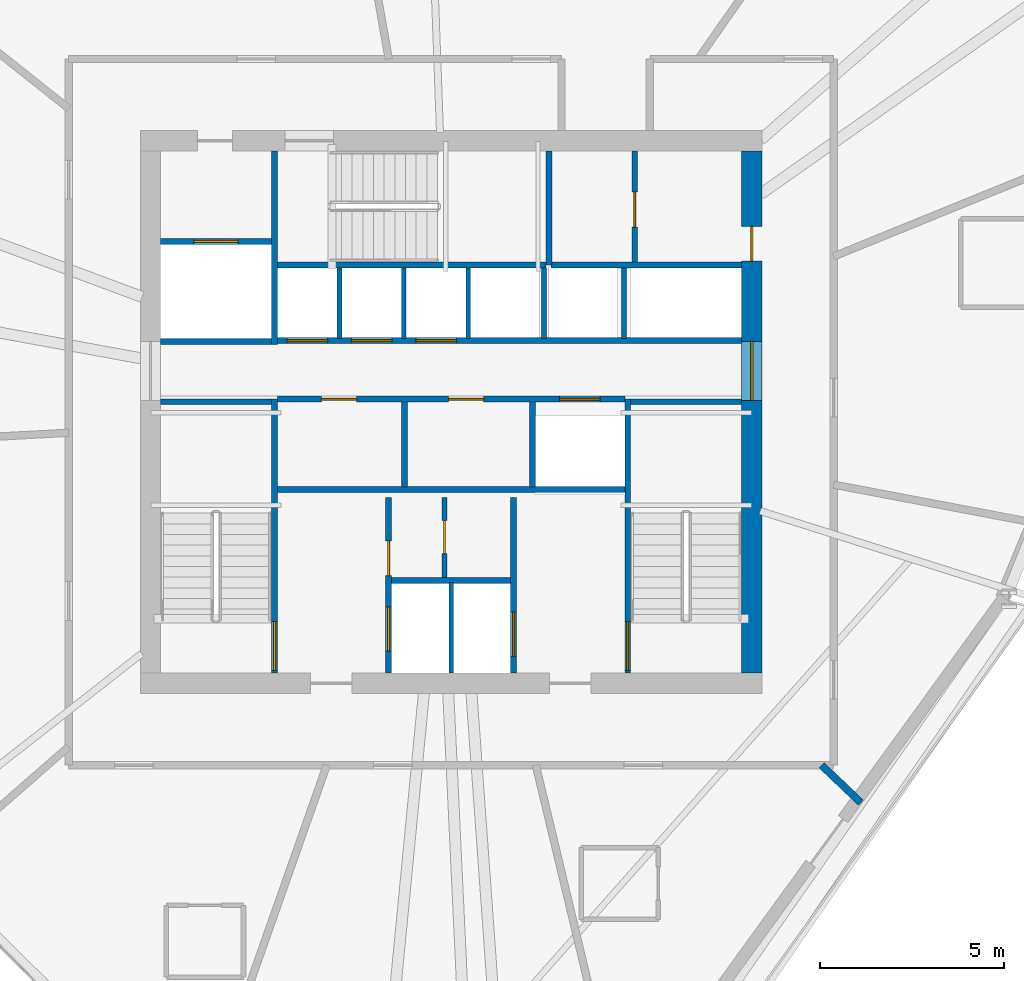
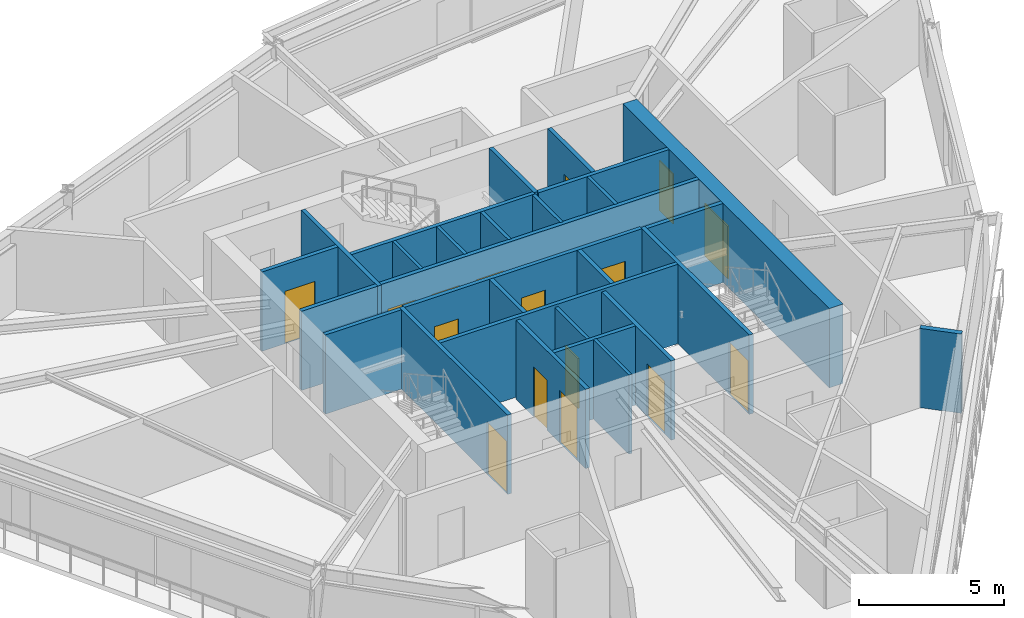
# One storey, part 9 of 14: 28 walls, 16 doors, 16 openings.
"""IFC4 building model written with IfcOpenShell, lengths in metres."""

from ifc_helpers import new_model, si_unit, direction, frame, frame_2d, origin, place, context, subcontext, project, spatial, rectangle, extrude, source, transform, mapped, material, layer, layer_set, type_object, type_shapes, element, fill, save


model = new_model("IFC4")

# Units and contexts
model_context = context("Model", 3, precision=1e-05, world=origin(), true_north=direction((0.0, 1.0)))
body_context = subcontext(model_context, "Body", "Model", "MODEL_VIEW")
ifc_project = project(units=[si_unit("LENGTHUNIT", "METRE"), si_unit("AREAUNIT", "SQUARE_METRE"), si_unit("VOLUMEUNIT", "CUBIC_METRE"), si_unit("PLANEANGLEUNIT", "RADIAN"), si_unit("MASSUNIT", "GRAM", prefix="KILO")], contexts=[model_context])

# Site, building, storey
site_placement = place(None, origin())
site = spatial("IfcSite", under=ifc_project, at=site_placement, CompositionType="ELEMENT")
building_placement = place(site_placement, origin())
building = spatial("IfcBuilding", under=site, at=building_placement, Name="Olszyna Solenne Hotel", CompositionType="ELEMENT")
storey_placement = place(building_placement, frame((0.0, 0.0, 185.64990234375)))
storey = spatial("IfcBuildingStorey", under=building, at=storey_placement, Name="L49", CompositionType="ELEMENT", Elevation=185.64990234375)

# Wall, openings, doors
ifc_material_1 = material(Name="Concrete C50/60", Category="concrete")
ifc_layer_1 = layer(ifc_material_1, 0.550048828125, Name="Concrete C50/60")
ifc_layer_set_1 = layer_set([ifc_layer_1], Name="Concrete C50/60")
wall_type_1 = type_object("IfcWallType", Name="WL-CR550", PredefinedType="SHEAR", material=ifc_layer_set_1)
wall_1_placement = place(storey_placement, frame((46.175048828125, 33.699951171875, 0.0), z_axis=(0.0, 0.0, 1.0), x_axis=(0.0, -1.0, 0.0)))
wall_1 = element("IfcWall", 1, at=wall_1_placement, inside=storey, type_object=wall_type_1, Name="Core shear wall WL-CR550 CRW-L49-E", PredefinedType="SHEAR", context=body_context, shape_type="SweptSolid", body=[
    extrude(rectangle(XDim=14.199951171875, YDim=0.550048828125, at=frame_2d((7.10009765625, 0.0))), origin(), (0.0, 0.0, 1.0), 3.330078125),
])
opening_1_placement = place(wall_1_placement, frame((5.179931640625, 0.0, 0.0)))
opening_1 = element("IfcOpeningElement", 2, at=opening_1_placement, cuts=wall_1, Name="Opening LHD-L49-E", PredefinedType="OPENING", context=body_context, shape_type="SweptSolid", body=[
    extrude(rectangle(XDim=1.60009765625, YDim=2.199951171875, at=frame_2d((0.800048828125, 1.10009765625))), frame((0.0, 0.28515625, 0.0), z_axis=(0.0, -1.0, 0.0), x_axis=(1.0, 0.0, 0.0)), (0.0, 0.0, 1.0), 0.570068359375),
])
opening_2_placement = place(wall_1_placement, frame((2.050048828125, 0.0, 0.0)))
opening_2 = element("IfcOpeningElement", 3, at=opening_2_placement, cuts=wall_1, Name="Opening SVD-L49-BE", PredefinedType="OPENING", context=body_context, shape_type="SweptSolid", body=[
    extrude(rectangle(XDim=0.949951171875, YDim=2.10009765625, at=frame_2d((0.47509765625, 1.050048828125))), frame((0.0, 0.28515625, 0.0), z_axis=(0.0, -1.0, 0.0), x_axis=(1.0, 0.0, 0.0)), (0.0, 0.0, 1.0), 0.570068359375),
])
ifc_material_2 = material(Name="Steel S355J2", Category="steel")
door_type_1 = type_object("IfcDoorType", Name="DR-SV1", OperationType="NOTDEFINED", PredefinedType="DOOR", material=ifc_material_2)
shared_shape_1 = source(origin(), body_context, "Body", "SweptSolid", [
    extrude(rectangle(XDim=0.949951171875, YDim=2.10009765625, at=frame_2d((0.47509765625, 1.050048828125))), frame((0.0, 0.02490234375, 0.0), z_axis=(0.0, -1.0, 0.0), x_axis=(1.0, 0.0, 0.0)), (0.0, 0.0, 1.0), 0.050048828125),
])
type_shapes(door_type_1, [shared_shape_1])
door_1_placement = place(opening_2_placement, origin())
door_1 = element("IfcDoor", 4, at=door_1_placement, inside=storey, type_object=door_type_1, Name="Housekeeping core fire door SVD-L49-BE", OperationType="SINGLE_SWING_RIGHT", OverallHeight=2.10009765625, OverallWidth=0.949951171875, PredefinedType="DOOR", context=body_context, shape_type="MappedRepresentation", body=[
    mapped(shared_shape_1, transform((0.0, 0.0, 0.0), x_axis=(1.0, 0.0, 0.0), y_axis=(0.0, 1.0, 0.0), z_axis=(0.0, 0.0, 1.0), scale=1.0)),
])
fill(opening_2, door_1)
ifc_material_3 = material(Name="Timber hardwood", Category="wood")
door_type_2 = type_object("IfcDoorType", Name="DR-CR1", OperationType="DOUBLE_DOOR_SINGLE_SWING", PredefinedType="DOOR", material=ifc_material_3)
shared_shape_2 = source(origin(), body_context, "Body", "SweptSolid", [
    extrude(rectangle(XDim=1.60009765625, YDim=2.199951171875, at=frame_2d((0.800048828125, 1.10009765625))), frame((0.0, 0.02490234375, 0.0), z_axis=(0.0, -1.0, 0.0), x_axis=(1.0, 0.0, 0.0)), (0.0, 0.0, 1.0), 0.050048828125),
])
type_shapes(door_type_2, [shared_shape_2])
door_2_placement = place(opening_1_placement, origin())
door_2 = element("IfcDoor", 5, at=door_2_placement, inside=storey, type_object=door_type_2, Name="Passenger lift lobby East fire door LHD-L49-E", OperationType="DOUBLE_DOOR_SINGLE_SWING", OverallHeight=2.199951171875, OverallWidth=1.60009765625, PredefinedType="DOOR", context=body_context, shape_type="MappedRepresentation", body=[
    mapped(shared_shape_2, transform((0.0, 0.0, 0.0), x_axis=(1.0, 0.0, 0.0), y_axis=(0.0, 1.0, 0.0), z_axis=(0.0, 0.0, 1.0), scale=1.0)),
])
fill(opening_1, door_2)

# Wall
ifc_material_4 = material(Name="Acoustic gypsum partition", Category="gypsum")
ifc_layer_2 = layer(ifc_material_4, 0.125, Name="Acoustic gypsum partition")
ifc_layer_set_2 = layer_set([ifc_layer_2], Name="Acoustic gypsum partition")
wall_type_2 = type_object("IfcWallType", Name="WL-PT125", PredefinedType="PARTITIONING", material=ifc_layer_set_2)
wall_2_placement = place(storey_placement, frame((38.0, 19.5, 0.0), z_axis=(0.0, 0.0, 1.0), x_axis=(0.0, 1.0, 0.0)))
element("IfcWall", 6, at=wall_2_placement, inside=storey, type_object=wall_type_2, Name="Core shaft compartment wall CW-L49-FFM", PredefinedType="PARTITIONING", context=body_context, shape_type="SweptSolid", body=[
    extrude(rectangle(XDim=2.4599609375, YDim=0.125, at=frame_2d((1.22998046875, 0.0))), origin(), (0.0, 0.0, 1.0), 3.330078125),
])

# Wall, opening, door
wall_3_placement = place(storey_placement, frame((37.820068359375, 22.10009765625, 0.0), z_axis=(0.0, 0.0, 1.0), x_axis=(0.0, 1.0, 0.0)))
wall_3 = element("IfcWall", 7, at=wall_3_placement, inside=storey, type_object=wall_type_2, Name="Core shaft compartment wall CW-L49-SC1", PredefinedType="PARTITIONING", context=body_context, shape_type="SweptSolid", body=[
    extrude(rectangle(XDim=2.179931640625, YDim=0.125, at=frame_2d((1.08984375, 0.0))), origin(), (0.0, 0.0, 1.0), 3.330078125),
])
opening_3_placement = place(wall_3_placement, frame((0.64990234375, 0.0, 0.0)))
opening_3 = element("IfcOpeningElement", 8, at=opening_3_placement, cuts=wall_3, Name="Opening SVD-L49-SC1", PredefinedType="OPENING", context=body_context, shape_type="SweptSolid", body=[
    extrude(rectangle(XDim=0.89990234375, YDim=2.10009765625, at=frame_2d((0.449951171875, 1.050048828125))), frame((0.0, 0.072509765625, 0.0), z_axis=(0.0, -1.0, 0.0), x_axis=(1.0, 0.0, 0.0)), (0.0, 0.0, 1.0), 0.14501953125),
])
door_type_3 = type_object("IfcDoorType", Name="DR-WC1", OperationType="NOTDEFINED", PredefinedType="DOOR", material=ifc_material_3)
shared_shape_3 = source(origin(), body_context, "Body", "SweptSolid", [
    extrude(rectangle(XDim=0.89990234375, YDim=2.10009765625, at=frame_2d((0.449951171875, 1.050048828125))), frame((0.0, 0.02490234375, 0.0), z_axis=(0.0, -1.0, 0.0), x_axis=(1.0, 0.0, 0.0)), (0.0, 0.0, 1.0), 0.050048828125),
])
type_shapes(door_type_3, [shared_shape_3])
door_3_placement = place(opening_3_placement, origin())
door_3 = element("IfcDoor", 9, at=door_3_placement, inside=storey, type_object=door_type_3, Name="Pantry locker door SVD-L49-SC1", OperationType="SINGLE_SWING_LEFT", OverallHeight=2.10009765625, OverallWidth=0.89990234375, PredefinedType="DOOR", context=body_context, shape_type="MappedRepresentation", body=[
    mapped(shared_shape_3, transform((0.0, 0.0, 0.0), x_axis=(1.0, 0.0, 0.0), y_axis=(0.0, 1.0, 0.0), z_axis=(0.0, 0.0, 1.0), scale=1.0)),
])
fill(opening_3, door_3)

# Walls
for number, where, z_axis, x_axis, name in (
    (10, (34.965087890625, 28.60009765625, 0.0), (0.0, 0.0, 1.0), (0.0, 1.0, 0.0), "Core shaft compartment wall CW-L49-DIVN349"),
    (11, (36.715087890625, 28.60009765625, 0.0), (0.0, 0.0, 1.0), (0.0, 1.0, 0.0), "Core shaft compartment wall CW-L49-DIVN367"),
    (12, (38.465087890625, 28.60009765625, 0.0), (0.0, 0.0, 1.0), (0.0, 1.0, 0.0), "Core shaft compartment wall CW-L49-DIVN384"),
    (13, (40.52490234375, 28.60009765625, 0.0), (0.0, 0.0, 1.0), (0.0, 1.0, 0.0), "Core shaft compartment wall CW-L49-DIVEX405"),
    (14, (42.699951171875, 28.60009765625, 0.0), (0.0, 0.0, 1.0), (0.0, 1.0, 0.0), "Core shaft compartment wall CW-L49-DIVEX427"),
):
    element("IfcWall", number, at=place(storey_placement, frame(where, z_axis=z_axis, x_axis=x_axis)), inside=storey, type_object=wall_type_2, Name=name, PredefinedType="PARTITIONING", context=body_context, shape_type="SweptSolid", body=[
        extrude(rectangle(XDim=1.919921875, YDim=0.125, at=frame_2d((0.9599609375, 0.0))), origin(), (0.0, 0.0, 1.0), 3.330078125),
    ])

# Wall, opening, door
ifc_layer_3 = layer(ifc_material_4, 0.159912109375, Name="Acoustic gypsum partition")
ifc_layer_set_3 = layer_set([ifc_layer_3], Name="Acoustic gypsum partition")
wall_type_3 = type_object("IfcWallType", Name="WL-PT160", PredefinedType="PARTITIONING", material=ifc_layer_set_3)
wall_4_placement = place(storey_placement, frame((33.199951171875, 19.5, 0.0), z_axis=(0.0, 0.0, 1.0), x_axis=(0.0, 1.0, 0.0)))
wall_4 = element("IfcWall", 15, at=wall_4_placement, inside=storey, type_object=wall_type_3, Name="Core shaft compartment wall CW-L49-ST1E", PredefinedType="PARTITIONING", context=body_context, shape_type="SweptSolid", body=[
    extrude(rectangle(XDim=7.4599609375, YDim=0.159912109375, at=frame_2d((3.72998046875, 0.0))), origin(), (0.0, 0.0, 1.0), 3.330078125),
])
opening_4_placement = place(wall_4_placement, frame((0.080078125, 0.0, 0.0)))
opening_4 = element("IfcOpeningElement", 16, at=opening_4_placement, cuts=wall_4, Name="Opening STD-L49-01", PredefinedType="OPENING", context=body_context, shape_type="SweptSolid", body=[
    extrude(rectangle(XDim=1.320068359375, YDim=2.199951171875, at=frame_2d((0.66015625, 1.10009765625))), frame((0.0, 0.08984375, 0.0), z_axis=(0.0, -1.0, 0.0), x_axis=(1.0, 0.0, 0.0)), (0.0, 0.0, 1.0), 0.179931640625),
])
door_type_4 = type_object("IfcDoorType", Name="DR-ST1", OperationType="NOTDEFINED", PredefinedType="DOOR", material=ifc_material_2)
shared_shape_4 = source(origin(), body_context, "Body", "SweptSolid", [
    extrude(rectangle(XDim=1.320068359375, YDim=2.199951171875, at=frame_2d((0.66015625, 1.10009765625))), frame((0.0, 0.02490234375, 0.0), z_axis=(0.0, -1.0, 0.0), x_axis=(1.0, 0.0, 0.0)), (0.0, 0.0, 1.0), 0.050048828125),
])
type_shapes(door_type_4, [shared_shape_4])
door_4_placement = place(opening_4_placement, origin())
door_4 = element("IfcDoor", 17, at=door_4_placement, inside=storey, type_object=door_type_4, Name="Pressurised exit stair ST1 fire door STD-L49-01", OperationType="SINGLE_SWING_LEFT", OverallHeight=2.199951171875, OverallWidth=1.320068359375, PredefinedType="DOOR", context=body_context, shape_type="MappedRepresentation", body=[
    mapped(shared_shape_4, transform((0.0, 0.0, 0.0), x_axis=(1.0, 0.0, 0.0), y_axis=(0.0, 1.0, 0.0), z_axis=(0.0, 0.0, 1.0), scale=1.0)),
])
fill(opening_4, door_4)

# Wall
wall_5_placement = place(storey_placement, frame((30.10009765625, 26.8798828125, 0.0), z_axis=(0.0, 0.0, 1.0), x_axis=(1.0, 0.0, 0.0)))
element("IfcWall", 18, at=wall_5_placement, inside=storey, type_object=wall_type_3, Name="Core shaft compartment wall CW-L49-ST1N", PredefinedType="PARTITIONING", context=body_context, shape_type="SweptSolid", body=[
    extrude(rectangle(XDim=3.02001953125, YDim=0.159912109375, at=frame_2d((1.510009765625, 0.0))), origin(), (0.0, 0.0, 1.0), 3.330078125),
])

# Wall, opening, door
wall_6_placement = place(storey_placement, frame((42.800048828125, 26.9599609375, 0.0), z_axis=(0.0, 0.0, 1.0), x_axis=(0.0, -1.0, 0.0)))
wall_6 = element("IfcWall", 19, at=wall_6_placement, inside=storey, type_object=wall_type_3, Name="Core shaft compartment wall CW-L49-ST2W", PredefinedType="PARTITIONING", context=body_context, shape_type="SweptSolid", body=[
    extrude(rectangle(XDim=7.4599609375, YDim=0.159912109375, at=frame_2d((3.72998046875, 0.0))), origin(), (0.0, 0.0, 1.0), 3.330078125),
])
opening_5_placement = place(wall_6_placement, frame((6.06005859375, 0.0, 0.0)))
opening_5 = element("IfcOpeningElement", 20, at=opening_5_placement, cuts=wall_6, Name="Opening STD-L49-02", PredefinedType="OPENING", context=body_context, shape_type="SweptSolid", body=[
    extrude(rectangle(XDim=1.320068359375, YDim=2.199951171875, at=frame_2d((0.66015625, 1.10009765625))), frame((0.0, 0.08984375, 0.0), z_axis=(0.0, -1.0, 0.0), x_axis=(1.0, 0.0, 0.0)), (0.0, 0.0, 1.0), 0.179931640625),
])
door_5_placement = place(opening_5_placement, origin())
door_5 = element("IfcDoor", 21, at=door_5_placement, inside=storey, type_object=door_type_4, Name="Pressurised exit stair ST2 fire door STD-L49-02", OperationType="SINGLE_SWING_RIGHT", OverallHeight=2.199951171875, OverallWidth=1.320068359375, PredefinedType="DOOR", context=body_context, shape_type="MappedRepresentation", body=[
    mapped(shared_shape_4, transform((0.0, 0.0, 0.0), x_axis=(1.0, 0.0, 0.0), y_axis=(0.0, 1.0, 0.0), z_axis=(0.0, 0.0, 1.0), scale=1.0)),
])
fill(opening_5, door_5)

# Walls
wall_7_placement = place(storey_placement, frame((42.8798828125, 26.8798828125, 0.0), z_axis=(0.0, 0.0, 1.0), x_axis=(1.0, 0.0, 0.0)))
element("IfcWall", 22, at=wall_7_placement, inside=storey, type_object=wall_type_3, Name="Core shaft compartment wall CW-L49-ST2N", PredefinedType="PARTITIONING", context=body_context, shape_type="SweptSolid", body=[
    extrude(rectangle(XDim=3.02001953125, YDim=0.159912109375, at=frame_2d((1.510009765625, 0.0))), origin(), (0.0, 0.0, 1.0), 3.330078125),
])
wall_8_placement = place(storey_placement, frame((33.280029296875, 30.60009765625, 0.0), z_axis=(0.0, 0.0, 1.0), x_axis=(1.0, 0.0, 0.0)))
element("IfcWall", 23, at=wall_8_placement, inside=storey, type_object=wall_type_3, Name="Core shaft compartment wall CW-L49-ST3S", PredefinedType="PARTITIONING", context=body_context, shape_type="SweptSolid", body=[
    extrude(rectangle(XDim=7.300048828125, YDim=0.159912109375, at=frame_2d((3.64990234375, 0.0))), origin(), (0.0, 0.0, 1.0), 3.330078125),
])
wall_9_placement = place(storey_placement, frame((40.659912109375, 30.60009765625, 0.0), z_axis=(0.0, 0.0, 1.0), x_axis=(0.0, 1.0, 0.0)))
element("IfcWall", 24, at=wall_9_placement, inside=storey, type_object=wall_type_3, Name="Core shaft compartment wall CW-L49-ST3E", PredefinedType="PARTITIONING", context=body_context, shape_type="SweptSolid", body=[
    extrude(rectangle(XDim=3.099853515625, YDim=0.159912109375, at=frame_2d((1.5498046875, 0.0))), origin(), (0.0, 0.0, 1.0), 3.330078125),
])

# Wall, openings, doors
wall_10_placement = place(storey_placement, frame((36.300048828125, 19.5, 0.0), z_axis=(0.0, 0.0, 1.0), x_axis=(0.0, 1.0, 0.0)))
wall_10 = element("IfcWall", 25, at=wall_10_placement, inside=storey, type_object=wall_type_3, Name="Core shaft compartment wall CW-L49-FF1W", PredefinedType="PARTITIONING", context=body_context, shape_type="SweptSolid", body=[
    extrude(rectangle(XDim=4.780029296875, YDim=0.159912109375, at=frame_2d((2.39013671875, 0.0))), origin(), (0.0, 0.0, 1.0), 3.330078125),
])
opening_6_placement = place(wall_10_placement, frame((0.60009765625, 0.0, 0.0)))
opening_6 = element("IfcOpeningElement", 26, at=opening_6_placement, cuts=wall_10, Name="Opening LD-L49-FF1", PredefinedType="OPENING", context=body_context, shape_type="SweptSolid", body=[
    extrude(rectangle(XDim=1.199951171875, YDim=2.199951171875, at=frame_2d((0.60009765625, 1.10009765625))), frame((0.0, 0.08984375, 0.0), z_axis=(0.0, -1.0, 0.0), x_axis=(1.0, 0.0, 0.0)), (0.0, 0.0, 1.0), 0.179931640625),
])
opening_7_placement = place(wall_10_placement, frame((2.64990234375, 0.0, 0.0)))
opening_7 = element("IfcOpeningElement", 27, at=opening_7_placement, cuts=wall_10, Name="Opening SVD-L49-SMK", PredefinedType="OPENING", context=body_context, shape_type="SweptSolid", body=[
    extrude(rectangle(XDim=0.949951171875, YDim=2.10009765625, at=frame_2d((0.47509765625, 1.050048828125))), frame((0.0, 0.08984375, 0.0), z_axis=(0.0, -1.0, 0.0), x_axis=(1.0, 0.0, 0.0)), (0.0, 0.0, 1.0), 0.179931640625),
])
door_6_placement = place(opening_7_placement, origin())
door_6 = element("IfcDoor", 28, at=door_6_placement, inside=storey, type_object=door_type_1, Name="Valet and core service room door SVD-L49-SMK", OperationType="SINGLE_SWING_LEFT", OverallHeight=2.10009765625, OverallWidth=0.949951171875, PredefinedType="DOOR", context=body_context, shape_type="MappedRepresentation", body=[
    mapped(shared_shape_1, transform((0.0, 0.0, 0.0), x_axis=(1.0, 0.0, 0.0), y_axis=(0.0, 1.0, 0.0), z_axis=(0.0, 0.0, 1.0), scale=1.0)),
])
fill(opening_7, door_6)
door_type_5 = type_object("IfcDoorType", Name="LD-FF1", OperationType="DOUBLE_DOOR_SLIDING", PredefinedType="DOOR", material=ifc_material_2)
shared_shape_5 = source(origin(), body_context, "Body", "SweptSolid", [
    extrude(rectangle(XDim=1.199951171875, YDim=2.199951171875, at=frame_2d((0.60009765625, 1.10009765625))), frame((0.0, 0.02490234375, 0.0), z_axis=(0.0, -1.0, 0.0), x_axis=(1.0, 0.0, 0.0)), (0.0, 0.0, 1.0), 0.050048828125),
])
type_shapes(door_type_5, [shared_shape_5])
door_7_placement = place(opening_6_placement, origin())
door_7 = element("IfcDoor", 29, at=door_7_placement, inside=storey, type_object=door_type_5, Name="Firefighters lift FF1 sliding landing door LD-L49-FF1", OperationType="DOUBLE_DOOR_SLIDING", OverallHeight=2.199951171875, OverallWidth=1.199951171875, PredefinedType="DOOR", context=body_context, shape_type="MappedRepresentation", body=[
    mapped(shared_shape_5, transform((0.0, 0.0, 0.0), x_axis=(1.0, 0.0, 0.0), y_axis=(0.0, 1.0, 0.0), z_axis=(0.0, 0.0, 1.0), scale=1.0)),
])
fill(opening_6, door_7)

# Wall, opening, door
wall_11_placement = place(storey_placement, frame((39.699951171875, 24.280029296875, 0.0), z_axis=(0.0, 0.0, 1.0), x_axis=(0.0, -1.0, 0.0)))
wall_11 = element("IfcWall", 30, at=wall_11_placement, inside=storey, type_object=wall_type_3, Name="Core shaft compartment wall CW-L49-FF2E", PredefinedType="PARTITIONING", context=body_context, shape_type="SweptSolid", body=[
    extrude(rectangle(XDim=4.780029296875, YDim=0.159912109375, at=frame_2d((2.39013671875, 0.0))), origin(), (0.0, 0.0, 1.0), 3.330078125),
])
opening_8_placement = place(wall_11_placement, frame((3.1201171875, 0.0, 0.0)))
opening_8 = element("IfcOpeningElement", 31, at=opening_8_placement, cuts=wall_11, Name="Opening LD-L49-FF2", PredefinedType="OPENING", context=body_context, shape_type="SweptSolid", body=[
    extrude(rectangle(XDim=1.199951171875, YDim=2.199951171875, at=frame_2d((0.60009765625, 1.10009765625))), frame((0.0, 0.08984375, 0.0), z_axis=(0.0, -1.0, 0.0), x_axis=(1.0, 0.0, 0.0)), (0.0, 0.0, 1.0), 0.179931640625),
])
door_8_placement = place(opening_8_placement, origin())
door_8 = element("IfcDoor", 32, at=door_8_placement, inside=storey, type_object=door_type_5, Name="Firefighters lift FF2 sliding landing door LD-L49-FF2", OperationType="DOUBLE_DOOR_SLIDING", OverallHeight=2.199951171875, OverallWidth=1.199951171875, PredefinedType="DOOR", context=body_context, shape_type="MappedRepresentation", body=[
    mapped(shared_shape_5, transform((0.0, 0.0, 0.0), x_axis=(1.0, 0.0, 0.0), y_axis=(0.0, 1.0, 0.0), z_axis=(0.0, 0.0, 1.0), scale=1.0)),
])
fill(opening_8, door_8)

# Walls
wall_12_placement = place(storey_placement, frame((36.3798828125, 22.02001953125, 0.0), z_axis=(0.0, 0.0, 1.0), x_axis=(1.0, 0.0, 0.0)))
element("IfcWall", 33, at=wall_12_placement, inside=storey, type_object=wall_type_3, Name="Core shaft compartment wall CW-L49-FFN", PredefinedType="PARTITIONING", context=body_context, shape_type="SweptSolid", body=[
    extrude(rectangle(XDim=3.240234375, YDim=0.159912109375, at=frame_2d((1.6201171875, 0.0))), origin(), (0.0, 0.0, 1.0), 3.330078125),
])
wall_13_placement = place(storey_placement, frame((33.280029296875, 24.489990234375, 0.0), z_axis=(0.0, 0.0, 1.0), x_axis=(1.0, 0.0, 0.0)))
element("IfcWall", 34, at=wall_13_placement, inside=storey, type_object=wall_type_3, Name="Core shaft compartment wall CW-L49-FFBN", PredefinedType="PARTITIONING", context=body_context, shape_type="SweptSolid", body=[
    extrude(rectangle(XDim=9.43994140625, YDim=0.159912109375, at=frame_2d((4.719970703125, 0.0))), origin(), (0.0, 0.0, 1.0), 3.330078125),
])
wall_14_placement = place(storey_placement, frame((30.10009765625, 28.52001953125, 0.0), z_axis=(0.0, 0.0, 1.0), x_axis=(1.0, 0.0, 0.0)))
element("IfcWall", 35, at=wall_14_placement, inside=storey, type_object=wall_type_3, Name="Core shaft compartment wall CW-L49-SV1S", PredefinedType="PARTITIONING", context=body_context, shape_type="SweptSolid", body=[
    extrude(rectangle(XDim=3.02001953125, YDim=0.159912109375, at=frame_2d((1.510009765625, 0.0))), origin(), (0.0, 0.0, 1.0), 3.330078125),
])
wall_15_placement = place(storey_placement, frame((33.199951171875, 28.43994140625, 0.0), z_axis=(0.0, 0.0, 1.0), x_axis=(0.0, 1.0, 0.0)))
element("IfcWall", 36, at=wall_15_placement, inside=storey, type_object=wall_type_3, Name="Core shaft compartment wall CW-L49-SV1E", PredefinedType="PARTITIONING", context=body_context, shape_type="SweptSolid", body=[
    extrude(rectangle(XDim=5.260009765625, YDim=0.159912109375, at=frame_2d((2.6298828125, 0.0))), origin(), (0.0, 0.0, 1.0), 3.330078125),
])

# Wall, opening, door
wall_16_placement = place(storey_placement, frame((30.10009765625, 31.239990234375, 0.0), z_axis=(0.0, 0.0, 1.0), x_axis=(1.0, 0.0, 0.0)))
wall_16 = element("IfcWall", 37, at=wall_16_placement, inside=storey, type_object=wall_type_3, Name="Core shaft compartment wall CW-L49-SV1N", PredefinedType="PARTITIONING", context=body_context, shape_type="SweptSolid", body=[
    extrude(rectangle(XDim=3.02001953125, YDim=0.159912109375, at=frame_2d((1.510009765625, 0.0))), origin(), (0.0, 0.0, 1.0), 3.330078125),
])
opening_9_placement = place(wall_16_placement, frame((0.909912109375, 0.0, 0.0)))
opening_9 = element("IfcOpeningElement", 38, at=opening_9_placement, cuts=wall_16, Name="Opening LD-L49-SV1", PredefinedType="OPENING", context=body_context, shape_type="SweptSolid", body=[
    extrude(rectangle(XDim=1.199951171875, YDim=2.199951171875, at=frame_2d((0.60009765625, 1.10009765625))), frame((0.0, 0.08984375, 0.0), z_axis=(0.0, -1.0, 0.0), x_axis=(1.0, 0.0, 0.0)), (0.0, 0.0, 1.0), 0.179931640625),
])
door_9_placement = place(opening_9_placement, origin())
door_9 = element("IfcDoor", 39, at=door_9_placement, inside=storey, type_object=door_type_5, Name="Service lift SV1 sliding landing door LD-L49-SV1", OperationType="DOUBLE_DOOR_SLIDING", OverallHeight=2.199951171875, OverallWidth=1.199951171875, PredefinedType="DOOR", context=body_context, shape_type="MappedRepresentation", body=[
    mapped(shared_shape_5, transform((0.0, 0.0, 0.0), x_axis=(1.0, 0.0, 0.0), y_axis=(0.0, 1.0, 0.0), z_axis=(0.0, 0.0, 1.0), scale=1.0)),
])
fill(opening_9, door_9)

# Wall, openings, doors
wall_17_placement = place(storey_placement, frame((33.280029296875, 26.949951171875, 0.0), z_axis=(0.0, 0.0, 1.0), x_axis=(1.0, 0.0, 0.0)))
wall_17 = element("IfcWall", 40, at=wall_17_placement, inside=storey, type_object=wall_type_3, Name="Core shaft compartment wall CW-L49-LRS", PredefinedType="PARTITIONING", context=body_context, shape_type="SweptSolid", body=[
    extrude(rectangle(XDim=9.43994140625, YDim=0.159912109375, at=frame_2d((4.719970703125, 0.0))), origin(), (0.0, 0.0, 1.0), 3.330078125),
])
opening_10_placement = place(wall_17_placement, frame((1.199951171875, 0.0, 0.0)))
opening_10 = element("IfcOpeningElement", 41, at=opening_10_placement, cuts=wall_17, Name="Opening SVD-L49-L71", PredefinedType="OPENING", context=body_context, shape_type="SweptSolid", body=[
    extrude(rectangle(XDim=0.949951171875, YDim=2.10009765625, at=frame_2d((0.47509765625, 1.050048828125))), frame((0.0, 0.08984375, 0.0), z_axis=(0.0, -1.0, 0.0), x_axis=(1.0, 0.0, 0.0)), (0.0, 0.0, 1.0), 0.179931640625),
])
opening_11_placement = place(wall_17_placement, frame((4.64990234375, 0.0, 0.0)))
opening_11 = element("IfcOpeningElement", 42, at=opening_11_placement, cuts=wall_17, Name="Opening SVD-L49-L72", PredefinedType="OPENING", context=body_context, shape_type="SweptSolid", body=[
    extrude(rectangle(XDim=0.949951171875, YDim=2.10009765625, at=frame_2d((0.47509765625, 1.050048828125))), frame((0.0, 0.08984375, 0.0), z_axis=(0.0, -1.0, 0.0), x_axis=(1.0, 0.0, 0.0)), (0.0, 0.0, 1.0), 0.179931640625),
])
opening_12_placement = place(wall_17_placement, frame((7.669921875, 0.0, 0.0)))
opening_12 = element("IfcOpeningElement", 43, at=opening_12_placement, cuts=wall_17, Name="Opening LD-L49-PL5", PredefinedType="OPENING", context=body_context, shape_type="SweptSolid", body=[
    extrude(rectangle(XDim=1.10009765625, YDim=2.199951171875, at=frame_2d((0.550048828125, 1.10009765625))), frame((0.0, 0.08984375, 0.0), z_axis=(0.0, -1.0, 0.0), x_axis=(1.0, 0.0, 0.0)), (0.0, 0.0, 1.0), 0.179931640625),
])
door_10_placement = place(opening_10_placement, origin())
door_10 = element("IfcDoor", 44, at=door_10_placement, inside=storey, type_object=door_type_1, Name="Recaptured core room fire door SVD-L49-L71", OperationType="SINGLE_SWING_LEFT", OverallHeight=2.10009765625, OverallWidth=0.949951171875, PredefinedType="DOOR", context=body_context, shape_type="MappedRepresentation", body=[
    mapped(shared_shape_1, transform((0.0, 0.0, 0.0), x_axis=(1.0, 0.0, 0.0), y_axis=(0.0, 1.0, 0.0), z_axis=(0.0, 0.0, 1.0), scale=1.0)),
])
fill(opening_10, door_10)
door_11_placement = place(opening_11_placement, origin())
door_11 = element("IfcDoor", 45, at=door_11_placement, inside=storey, type_object=door_type_1, Name="Recaptured core room fire door SVD-L49-L72", OperationType="SINGLE_SWING_RIGHT", OverallHeight=2.10009765625, OverallWidth=0.949951171875, PredefinedType="DOOR", context=body_context, shape_type="MappedRepresentation", body=[
    mapped(shared_shape_1, transform((0.0, 0.0, 0.0), x_axis=(1.0, 0.0, 0.0), y_axis=(0.0, 1.0, 0.0), z_axis=(0.0, 0.0, 1.0), scale=1.0)),
])
fill(opening_11, door_11)
door_type_6 = type_object("IfcDoorType", Name="LD-P1", OperationType="DOUBLE_DOOR_SLIDING", PredefinedType="DOOR", material=ifc_material_2)
shared_shape_6 = source(origin(), body_context, "Body", "SweptSolid", [
    extrude(rectangle(XDim=1.10009765625, YDim=2.199951171875, at=frame_2d((0.550048828125, 1.10009765625))), frame((0.0, 0.02490234375, 0.0), z_axis=(0.0, -1.0, 0.0), x_axis=(1.0, 0.0, 0.0)), (0.0, 0.0, 1.0), 0.050048828125),
])
type_shapes(door_type_6, [shared_shape_6])
door_12_placement = place(opening_12_placement, origin())
door_12 = element("IfcDoor", 46, at=door_12_placement, inside=storey, type_object=door_type_6, Name="Passenger lift PL5 sliding landing door LD-L49-PL5", OperationType="DOUBLE_DOOR_SLIDING", OverallHeight=2.199951171875, OverallWidth=1.10009765625, PredefinedType="DOOR", context=body_context, shape_type="MappedRepresentation", body=[
    mapped(shared_shape_6, transform((0.0, 0.0, 0.0), x_axis=(1.0, 0.0, 0.0), y_axis=(0.0, 1.0, 0.0), z_axis=(0.0, 0.0, 1.0), scale=1.0)),
])
fill(opening_12, door_12)

# Walls
for number, where, z_axis, x_axis, name in (
    (47, (36.72998046875, 24.56005859375, 0.0), (0.0, 0.0, 1.0), (0.0, 1.0, 0.0), "Core shaft compartment wall CW-L49-LV7DIV1"),
    (48, (40.215087890625, 24.56005859375, 0.0), (0.0, 0.0, 1.0), (0.0, 1.0, 0.0), "Core shaft compartment wall CW-L49-LV7DIV2"),
):
    element("IfcWall", number, at=place(storey_placement, frame(where, z_axis=z_axis, x_axis=x_axis)), inside=storey, type_object=wall_type_3, Name=name, PredefinedType="PARTITIONING", context=body_context, shape_type="SweptSolid", body=[
        extrude(rectangle(XDim=2.31005859375, YDim=0.159912109375, at=frame_2d((1.155029296875, 0.0))), origin(), (0.0, 0.0, 1.0), 3.330078125),
    ])

# Wall, openings, doors
wall_18_placement = place(storey_placement, frame((33.280029296875, 28.5400390625, 0.0), z_axis=(0.0, 0.0, 1.0), x_axis=(1.0, 0.0, 0.0)))
wall_18 = element("IfcWall", 49, at=wall_18_placement, inside=storey, type_object=wall_type_3, Name="Core shaft compartment wall CW-L49-LRN", PredefinedType="PARTITIONING", context=body_context, shape_type="SweptSolid", body=[
    extrude(rectangle(XDim=12.619873046875, YDim=0.159912109375, at=frame_2d((6.31005859375, 0.0))), origin(), (0.0, 0.0, 1.0), 3.330078125),
])
opening_13_placement = place(wall_18_placement, frame((0.260009765625, 0.0, 0.0)))
opening_13 = element("IfcOpeningElement", 50, at=opening_13_placement, cuts=wall_18, Name="Opening LD-L49-PL6", PredefinedType="OPENING", context=body_context, shape_type="SweptSolid", body=[
    extrude(rectangle(XDim=1.10009765625, YDim=2.199951171875, at=frame_2d((0.550048828125, 1.10009765625))), frame((0.0, 0.08984375, 0.0), z_axis=(0.0, -1.0, 0.0), x_axis=(1.0, 0.0, 0.0)), (0.0, 0.0, 1.0), 0.179931640625),
])
opening_14_placement = place(wall_18_placement, frame((2.010009765625, 0.0, 0.0)))
opening_14 = element("IfcOpeningElement", 51, at=opening_14_placement, cuts=wall_18, Name="Opening LD-L49-PL7", PredefinedType="OPENING", context=body_context, shape_type="SweptSolid", body=[
    extrude(rectangle(XDim=1.10009765625, YDim=2.199951171875, at=frame_2d((0.550048828125, 1.10009765625))), frame((0.0, 0.08984375, 0.0), z_axis=(0.0, -1.0, 0.0), x_axis=(1.0, 0.0, 0.0)), (0.0, 0.0, 1.0), 0.179931640625),
])
opening_15_placement = place(wall_18_placement, frame((3.760009765625, 0.0, 0.0)))
opening_15 = element("IfcOpeningElement", 52, at=opening_15_placement, cuts=wall_18, Name="Opening LD-L49-PL8", PredefinedType="OPENING", context=body_context, shape_type="SweptSolid", body=[
    extrude(rectangle(XDim=1.10009765625, YDim=2.199951171875, at=frame_2d((0.550048828125, 1.10009765625))), frame((0.0, 0.08984375, 0.0), z_axis=(0.0, -1.0, 0.0), x_axis=(1.0, 0.0, 0.0)), (0.0, 0.0, 1.0), 0.179931640625),
])
door_13_placement = place(opening_13_placement, origin())
door_13 = element("IfcDoor", 53, at=door_13_placement, inside=storey, type_object=door_type_6, Name="Passenger lift PL6 sliding landing door LD-L49-PL6", OperationType="DOUBLE_DOOR_SLIDING", OverallHeight=2.199951171875, OverallWidth=1.10009765625, PredefinedType="DOOR", context=body_context, shape_type="MappedRepresentation", body=[
    mapped(shared_shape_6, transform((0.0, 0.0, 0.0), x_axis=(1.0, 0.0, 0.0), y_axis=(0.0, 1.0, 0.0), z_axis=(0.0, 0.0, 1.0), scale=1.0)),
])
fill(opening_13, door_13)
door_14_placement = place(opening_14_placement, origin())
door_14 = element("IfcDoor", 54, at=door_14_placement, inside=storey, type_object=door_type_6, Name="Passenger lift PL7 sliding landing door LD-L49-PL7", OperationType="DOUBLE_DOOR_SLIDING", OverallHeight=2.199951171875, OverallWidth=1.10009765625, PredefinedType="DOOR", context=body_context, shape_type="MappedRepresentation", body=[
    mapped(shared_shape_6, transform((0.0, 0.0, 0.0), x_axis=(1.0, 0.0, 0.0), y_axis=(0.0, 1.0, 0.0), z_axis=(0.0, 0.0, 1.0), scale=1.0)),
])
fill(opening_14, door_14)
door_15_placement = place(opening_15_placement, origin())
door_15 = element("IfcDoor", 55, at=door_15_placement, inside=storey, type_object=door_type_6, Name="Passenger lift PL8 sliding landing door LD-L49-PL8", OperationType="DOUBLE_DOOR_SLIDING", OverallHeight=2.199951171875, OverallWidth=1.10009765625, PredefinedType="DOOR", context=body_context, shape_type="MappedRepresentation", body=[
    mapped(shared_shape_6, transform((0.0, 0.0, 0.0), x_axis=(1.0, 0.0, 0.0), y_axis=(0.0, 1.0, 0.0), z_axis=(0.0, 0.0, 1.0), scale=1.0)),
])
fill(opening_15, door_15)

# Wall
wall_19_placement = place(storey_placement, frame((40.719970703125, 30.60009765625, 0.0), z_axis=(0.0, 0.0, 1.0), x_axis=(1.0, 0.0, 0.0)))
element("IfcWall", 56, at=wall_19_placement, inside=storey, type_object=wall_type_3, Name="Core shaft compartment wall CW-L49-LRNTOP", PredefinedType="PARTITIONING", context=body_context, shape_type="SweptSolid", body=[
    extrude(rectangle(XDim=5.179931640625, YDim=0.159912109375, at=frame_2d((2.58984375, 0.0))), origin(), (0.0, 0.0, 1.0), 3.330078125),
])

# Wall, opening, door
wall_20_placement = place(storey_placement, frame((42.989990234375, 30.679931640625, 0.0), z_axis=(0.0, 0.0, 1.0), x_axis=(0.0, 1.0, 0.0)))
wall_20 = element("IfcWall", 57, at=wall_20_placement, inside=storey, type_object=wall_type_3, Name="Core shaft compartment wall CW-L49-BOH1", PredefinedType="PARTITIONING", context=body_context, shape_type="SweptSolid", body=[
    extrude(rectangle(XDim=3.02001953125, YDim=0.159912109375, at=frame_2d((1.510009765625, 0.0))), origin(), (0.0, 0.0, 1.0), 3.330078125),
])
opening_16_placement = place(wall_20_placement, frame((0.949951171875, 0.0, 0.0)))
opening_16 = element("IfcOpeningElement", 58, at=opening_16_placement, cuts=wall_20, Name="Opening SVD-L49-BI1", PredefinedType="OPENING", context=body_context, shape_type="SweptSolid", body=[
    extrude(rectangle(XDim=0.949951171875, YDim=2.10009765625, at=frame_2d((0.47509765625, 1.050048828125))), frame((0.0, 0.08984375, 0.0), z_axis=(0.0, -1.0, 0.0), x_axis=(1.0, 0.0, 0.0)), (0.0, 0.0, 1.0), 0.179931640625),
])
door_16_placement = place(opening_16_placement, origin())
door_16 = element("IfcDoor", 59, at=door_16_placement, inside=storey, type_object=door_type_1, Name="BOH inter-room fire door SVD-L49-BI1", OperationType="SINGLE_SWING_LEFT", OverallHeight=2.10009765625, OverallWidth=0.949951171875, PredefinedType="DOOR", context=body_context, shape_type="MappedRepresentation", body=[
    mapped(shared_shape_1, transform((0.0, 0.0, 0.0), x_axis=(1.0, 0.0, 0.0), y_axis=(0.0, 1.0, 0.0), z_axis=(0.0, 0.0, 1.0), scale=1.0)),
])
fill(opening_16, door_16)

# Wall
ifc_layer_4 = layer(ifc_material_4, 0.199951171875, Name="Acoustic gypsum partition")
ifc_layer_set_4 = layer_set([ifc_layer_4], Name="Acoustic gypsum partition")
wall_type_4 = type_object("IfcWallType", Name="WL-PT200", PredefinedType="PARTITIONING", material=ifc_layer_set_4)
wall_21_placement = place(storey_placement, frame((48.0703125, 17.0, 0.0), z_axis=(0.0, 0.0, 1.0), x_axis=(0.723764420098, -0.69004714636, 0.0)))
element("IfcWall", 60, at=wall_21_placement, inside=storey, type_object=wall_type_4, Name="Interior acoustic partition WL-PT200 PW-L49-2755", PredefinedType="PARTITIONING", context=body_context, shape_type="SweptSolid", body=[
    extrude(rectangle(XDim=1.47705078125, YDim=0.199951171875, at=frame_2d((0.738525390625, 0.0))), origin(), (0.0, 0.0, 1.0), 3.330078125),
])

save(model, "model.ifc")
